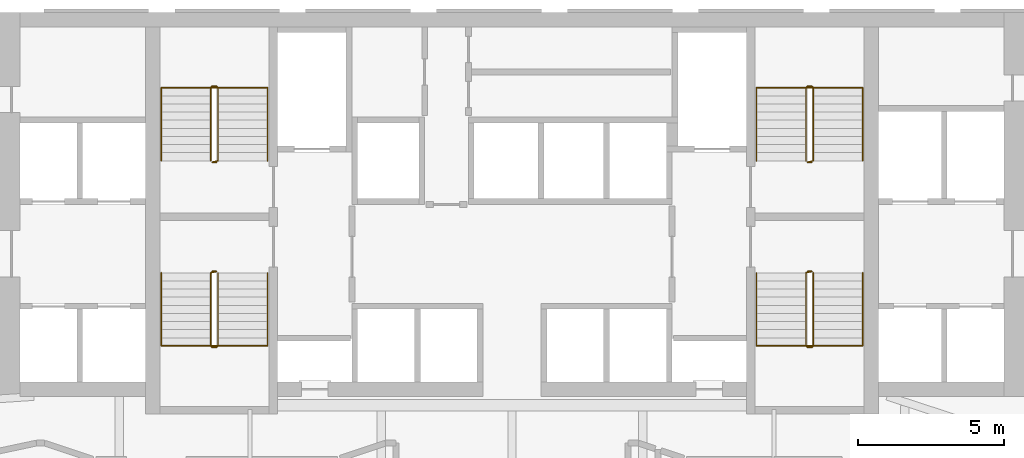
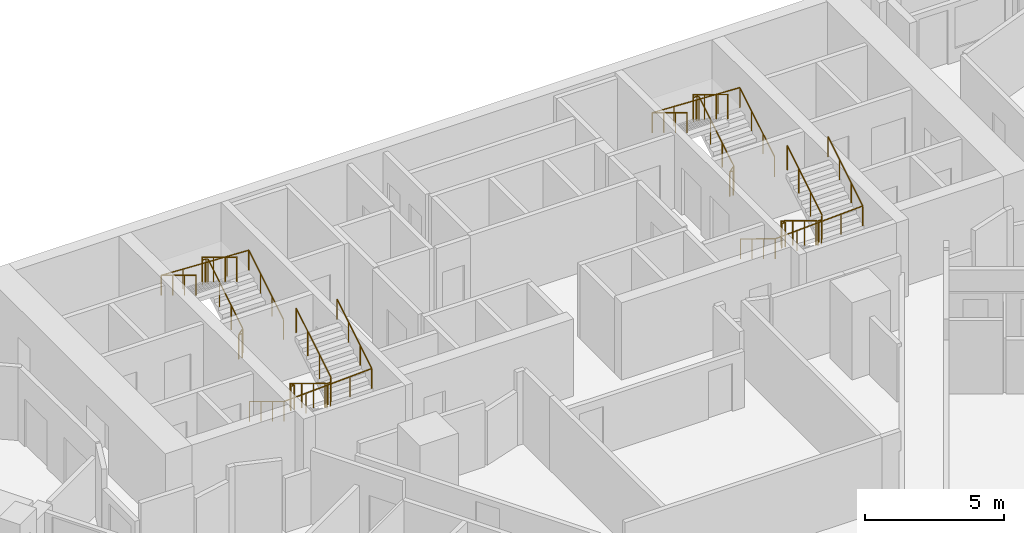
# One storey, part 10 of 10: 8 railings.
"""IFC4 building model written with IfcOpenShell, lengths in metres."""

from ifc_helpers import new_model, si_unit, direction, frame, origin, origin_2d, place, context, subcontext, project, spatial, circle, extrude, material, type_object, element, save


model = new_model("IFC4")

# Units and contexts
model_context = context("Model", 3, precision=1e-05, world=origin(), true_north=direction((0.0, 1.0)))
body_context = subcontext(model_context, "Body", "Model", "MODEL_VIEW")
ifc_project = project(units=[si_unit("LENGTHUNIT", "METRE"), si_unit("AREAUNIT", "SQUARE_METRE"), si_unit("VOLUMEUNIT", "CUBIC_METRE"), si_unit("PLANEANGLEUNIT", "RADIAN"), si_unit("MASSUNIT", "GRAM", prefix="KILO")], contexts=[model_context])

# Site, building, storey
site_placement = place(None, origin())
site = spatial("IfcSite", under=ifc_project, at=site_placement, CompositionType="ELEMENT")
building_placement = place(site_placement, origin())
building = spatial("IfcBuilding", under=site, at=building_placement, Name="Calabash Gate Tower", CompositionType="ELEMENT")
storey_placement = place(building_placement, frame((0.0, 0.0, 56.199951171875)))
storey = spatial("IfcBuildingStorey", under=building, at=storey_placement, Name="L09", CompositionType="ELEMENT", Elevation=56.199951171875)

# Railings
ifc_material_1 = material(Name="Black powder-coated steel balusters", Category="steel")
railing_type_1 = type_object("IfcRailingType", Name="Stair guard RL1100", PredefinedType="GUARDRAIL", material=ifc_material_1)
railing_1_placement = place(storey_placement, frame((-10.14990234375, 13.902587890625, 0.0)))
element("IfcRailing", 1, at=railing_1_placement, inside=storey, type_object=railing_type_1, Name="L09 ST1 stair guard 1", PredefinedType="GUARDRAIL", context=body_context, shape_type="SweptSolid", body=[
    extrude(circle(Radius=0.02392578125, at=origin_2d()), frame((0.0, 0.0, 1.076171875), z_axis=(-1.0, 0.0, 0.0), x_axis=(0.0, -1.0, 0.0)), (0.0, 0.0, 1.0), 0.150146484375),
    extrude(circle(Radius=0.02392578125, at=origin_2d()), frame((-0.150146484375, 0.0, 1.076171875), z_axis=(0.748079357382, 0.187248190798, 0.636643848712), x_axis=(-0.242814311512, 0.970072785993, 0.0)), (0.0, 0.0, 1.0), 0.267333984375),
    extrude(circle(Radius=0.02392578125, at=origin_2d()), frame((0.0498046875, 0.050048828125, 1.24609375), z_axis=(0.0, 0.853993254676, 0.52028407718), x_axis=(-1.0, 0.0, 0.0)), (0.0, 0.0, 1.0), 2.940185546875),
    extrude(circle(Radius=0.02392578125, at=origin_2d()), frame((0.0498046875, 2.56103515625, 2.77587890625), z_axis=(-0.705375805398, 0.708833529934, 0.0), x_axis=(-0.708833529934, -0.705375805398, 0.0)), (0.0, 0.0, 1.0), 0.070556640625),
    extrude(circle(Radius=0.02392578125, at=origin_2d()), frame((0.0, 2.611083984375, 2.77587890625), z_axis=(-1.0, 0.0, 0.0), x_axis=(0.0, -1.0, 0.0)), (0.0, 0.0, 1.0), 0.150146484375),
    extrude(circle(Radius=0.02392578125, at=origin_2d()), frame((-0.150146484375, 2.611083984375, 2.77587890625), z_axis=(-0.271562723297, -0.271562723297, 0.923313259209), x_axis=(0.707106781187, -0.707106781187, 0.0)), (0.0, 0.0, 1.0), 0.184326171875),
    extrude(circle(Radius=0.02392578125, at=origin_2d()), frame((-0.2001953125, 2.56103515625, 2.9462890625), z_axis=(0.0, -0.853956361026, 0.520344629514), x_axis=(1.0, 0.0, 0.0)), (0.0, 0.0, 1.0), 2.9404296875),
    extrude(circle(Radius=0.02099609375, at=origin_2d()), origin(), (0.0, 0.0, 1.0), 1.052001953125),
    extrude(circle(Radius=0.02099609375, at=origin_2d()), frame((-0.150146484375, 0.0, 0.0)), (0.0, 0.0, 1.0), 1.052001953125),
    extrude(circle(Radius=0.02099609375, at=origin_2d()), frame((0.0498046875, 0.050048828125, 0.170166015625)), (0.0, 0.0, 1.0), 1.052001953125),
    extrude(circle(Radius=0.02099609375, at=origin_2d()), frame((0.0498046875, 0.886962890625, 0.68017578125)), (0.0, 0.0, 1.0), 1.052001953125),
    extrude(circle(Radius=0.02099609375, at=origin_2d()), frame((0.0498046875, 1.72412109375, 1.18994140625)), (0.0, 0.0, 1.0), 1.052001953125),
    extrude(circle(Radius=0.02099609375, at=origin_2d()), frame((0.0498046875, 2.56103515625, 1.699951171875)), (0.0, 0.0, 1.0), 1.052001953125),
    extrude(circle(Radius=0.02099609375, at=origin_2d()), frame((0.0, 2.611083984375, 1.699951171875)), (0.0, 0.0, 1.0), 1.052001953125),
    extrude(circle(Radius=0.02099609375, at=origin_2d()), frame((-0.150146484375, 2.611083984375, 1.699951171875)), (0.0, 0.0, 1.0), 1.052001953125),
    extrude(circle(Radius=0.02099609375, at=origin_2d()), frame((-0.2001953125, 2.56103515625, 1.8701171875)), (0.0, 0.0, 1.0), 1.052001953125),
    extrude(circle(Radius=0.02099609375, at=origin_2d()), frame((-0.2001953125, 1.72412109375, 2.380126953125)), (0.0, 0.0, 1.0), 1.052001953125),
    extrude(circle(Radius=0.02099609375, at=origin_2d()), frame((-0.2001953125, 0.886962890625, 2.89013671875)), (0.0, 0.0, 1.0), 1.052001953125),
    extrude(circle(Radius=0.02099609375, at=origin_2d()), frame((-0.2001953125, 0.050048828125, 3.400146484375)), (0.0, 0.0, 1.0), 1.052001953125),
])
railing_2_placement = place(storey_placement, frame((-10.300048828125, 10.152587890625, 0.0)))
element("IfcRailing", 2, at=railing_2_placement, inside=storey, type_object=railing_type_1, Name="L09 ST2 stair guard 1", PredefinedType="GUARDRAIL", context=body_context, shape_type="SweptSolid", body=[
    extrude(circle(Radius=0.02392578125, at=origin_2d()), frame((0.0, 0.0, 1.076171875), z_axis=(1.0, 0.0, 0.0), x_axis=(0.0, 1.0, 0.0)), (0.0, 0.0, 1.0), 0.150146484375),
    extrude(circle(Radius=0.02392578125, at=origin_2d()), frame((0.150146484375, 0.0, 1.076171875), z_axis=(-0.748481188565, -0.187120297141, 0.63620901028), x_axis=(0.242535625036, -0.970142500145, 0.0)), (0.0, 0.0, 1.0), 0.267578125),
    extrude(circle(Radius=0.02392578125, at=origin_2d()), frame((-0.050048828125, -0.050048828125, 1.24609375), z_axis=(0.0, -0.853993254676, 0.52028407718), x_axis=(1.0, 0.0, 0.0)), (0.0, 0.0, 1.0), 2.940185546875),
    extrude(circle(Radius=0.02392578125, at=origin_2d()), frame((-0.050048828125, -2.56103515625, 2.77587890625), z_axis=(0.707106781187, -0.707106781187, 0.0), x_axis=(0.707106781187, 0.707106781187, 0.0)), (0.0, 0.0, 1.0), 0.07080078125),
    extrude(circle(Radius=0.02392578125, at=origin_2d()), frame((0.0, -2.611083984375, 2.77587890625), z_axis=(1.0, 0.0, 0.0), x_axis=(0.0, 1.0, 0.0)), (0.0, 0.0, 1.0), 0.150146484375),
    extrude(circle(Radius=0.02392578125, at=origin_2d()), frame((0.150146484375, -2.611083984375, 2.77587890625), z_axis=(0.270335057127, 0.271660228976, 0.923644778517), x_axis=(-0.708833529934, 0.705375805398, 0.0)), (0.0, 0.0, 1.0), 0.184326171875),
    extrude(circle(Radius=0.02392578125, at=origin_2d()), frame((0.199951171875, -2.56103515625, 2.9462890625), z_axis=(0.0, 0.853956361026, 0.520344629514), x_axis=(-1.0, 0.0, 0.0)), (0.0, 0.0, 1.0), 2.9404296875),
    extrude(circle(Radius=0.02099609375, at=origin_2d()), origin(), (0.0, 0.0, 1.0), 1.052001953125),
    extrude(circle(Radius=0.02099609375, at=origin_2d()), frame((0.150146484375, 0.0, 0.0)), (0.0, 0.0, 1.0), 1.052001953125),
    extrude(circle(Radius=0.02099609375, at=origin_2d()), frame((-0.050048828125, -0.050048828125, 0.170166015625)), (0.0, 0.0, 1.0), 1.052001953125),
    extrude(circle(Radius=0.02099609375, at=origin_2d()), frame((-0.050048828125, -0.886962890625, 0.68017578125)), (0.0, 0.0, 1.0), 1.052001953125),
    extrude(circle(Radius=0.02099609375, at=origin_2d()), frame((-0.050048828125, -1.72412109375, 1.18994140625)), (0.0, 0.0, 1.0), 1.052001953125),
    extrude(circle(Radius=0.02099609375, at=origin_2d()), frame((-0.050048828125, -2.56103515625, 1.699951171875)), (0.0, 0.0, 1.0), 1.052001953125),
    extrude(circle(Radius=0.02099609375, at=origin_2d()), frame((0.0, -2.611083984375, 1.699951171875)), (0.0, 0.0, 1.0), 1.052001953125),
    extrude(circle(Radius=0.02099609375, at=origin_2d()), frame((0.150146484375, -2.611083984375, 1.699951171875)), (0.0, 0.0, 1.0), 1.052001953125),
    extrude(circle(Radius=0.02099609375, at=origin_2d()), frame((0.199951171875, -2.56103515625, 1.8701171875)), (0.0, 0.0, 1.0), 1.052001953125),
    extrude(circle(Radius=0.02099609375, at=origin_2d()), frame((0.199951171875, -1.72412109375, 2.380126953125)), (0.0, 0.0, 1.0), 1.052001953125),
    extrude(circle(Radius=0.02099609375, at=origin_2d()), frame((0.199951171875, -0.886962890625, 2.89013671875)), (0.0, 0.0, 1.0), 1.052001953125),
    extrude(circle(Radius=0.02099609375, at=origin_2d()), frame((0.199951171875, -0.050048828125, 3.400146484375)), (0.0, 0.0, 1.0), 1.052001953125),
])
railing_3_placement = place(storey_placement, frame((10.300048828125, 13.902587890625, 0.0)))
element("IfcRailing", 3, at=railing_3_placement, inside=storey, type_object=railing_type_1, Name="L09 ST3 stair guard 1", PredefinedType="GUARDRAIL", context=body_context, shape_type="SweptSolid", body=[
    extrude(circle(Radius=0.02392578125, at=origin_2d()), frame((0.0, 0.0, 1.076171875), z_axis=(-1.0, 0.0, 0.0), x_axis=(0.0, -1.0, 0.0)), (0.0, 0.0, 1.0), 0.150146484375),
    extrude(circle(Radius=0.02392578125, at=origin_2d()), frame((-0.150146484375, 0.0, 1.076171875), z_axis=(0.748481188565, 0.187120297141, 0.63620901028), x_axis=(-0.242535625036, 0.970142500145, 0.0)), (0.0, 0.0, 1.0), 0.267578125),
    extrude(circle(Radius=0.02392578125, at=origin_2d()), frame((0.050048828125, 0.050048828125, 1.24609375), z_axis=(0.0, 0.853993254676, 0.52028407718), x_axis=(-1.0, 0.0, 0.0)), (0.0, 0.0, 1.0), 2.940185546875),
    extrude(circle(Radius=0.02392578125, at=origin_2d()), frame((0.050048828125, 2.56103515625, 2.77587890625), z_axis=(-0.707106781187, 0.707106781187, 0.0), x_axis=(-0.707106781187, -0.707106781187, 0.0)), (0.0, 0.0, 1.0), 0.07080078125),
    extrude(circle(Radius=0.02392578125, at=origin_2d()), frame((0.0, 2.611083984375, 2.77587890625), z_axis=(-1.0, 0.0, 0.0), x_axis=(0.0, -1.0, 0.0)), (0.0, 0.0, 1.0), 0.150146484375),
    extrude(circle(Radius=0.02392578125, at=origin_2d()), frame((-0.150146484375, 2.611083984375, 2.77587890625), z_axis=(-0.270335057127, -0.271660228976, 0.923644778517), x_axis=(0.708833529934, -0.705375805398, 0.0)), (0.0, 0.0, 1.0), 0.184326171875),
    extrude(circle(Radius=0.02392578125, at=origin_2d()), frame((-0.199951171875, 2.56103515625, 2.9462890625), z_axis=(0.0, -0.853956361026, 0.520344629514), x_axis=(1.0, 0.0, 0.0)), (0.0, 0.0, 1.0), 2.9404296875),
    extrude(circle(Radius=0.02099609375, at=origin_2d()), origin(), (0.0, 0.0, 1.0), 1.052001953125),
    extrude(circle(Radius=0.02099609375, at=origin_2d()), frame((-0.150146484375, 0.0, 0.0)), (0.0, 0.0, 1.0), 1.052001953125),
    extrude(circle(Radius=0.02099609375, at=origin_2d()), frame((0.050048828125, 0.050048828125, 0.170166015625)), (0.0, 0.0, 1.0), 1.052001953125),
    extrude(circle(Radius=0.02099609375, at=origin_2d()), frame((0.050048828125, 0.886962890625, 0.68017578125)), (0.0, 0.0, 1.0), 1.052001953125),
    extrude(circle(Radius=0.02099609375, at=origin_2d()), frame((0.050048828125, 1.72412109375, 1.18994140625)), (0.0, 0.0, 1.0), 1.052001953125),
    extrude(circle(Radius=0.02099609375, at=origin_2d()), frame((0.050048828125, 2.56103515625, 1.699951171875)), (0.0, 0.0, 1.0), 1.052001953125),
    extrude(circle(Radius=0.02099609375, at=origin_2d()), frame((0.0, 2.611083984375, 1.699951171875)), (0.0, 0.0, 1.0), 1.052001953125),
    extrude(circle(Radius=0.02099609375, at=origin_2d()), frame((-0.150146484375, 2.611083984375, 1.699951171875)), (0.0, 0.0, 1.0), 1.052001953125),
    extrude(circle(Radius=0.02099609375, at=origin_2d()), frame((-0.199951171875, 2.56103515625, 1.8701171875)), (0.0, 0.0, 1.0), 1.052001953125),
    extrude(circle(Radius=0.02099609375, at=origin_2d()), frame((-0.199951171875, 1.72412109375, 2.380126953125)), (0.0, 0.0, 1.0), 1.052001953125),
    extrude(circle(Radius=0.02099609375, at=origin_2d()), frame((-0.199951171875, 0.886962890625, 2.89013671875)), (0.0, 0.0, 1.0), 1.052001953125),
    extrude(circle(Radius=0.02099609375, at=origin_2d()), frame((-0.199951171875, 0.050048828125, 3.400146484375)), (0.0, 0.0, 1.0), 1.052001953125),
])
railing_4_placement = place(storey_placement, frame((10.14990234375, 10.152587890625, 0.0)))
element("IfcRailing", 4, at=railing_4_placement, inside=storey, type_object=railing_type_1, Name="L09 ST4 stair guard 1", PredefinedType="GUARDRAIL", context=body_context, shape_type="SweptSolid", body=[
    extrude(circle(Radius=0.02392578125, at=origin_2d()), frame((0.0, 0.0, 1.076171875), z_axis=(1.0, 0.0, 0.0), x_axis=(0.0, 1.0, 0.0)), (0.0, 0.0, 1.0), 0.150146484375),
    extrude(circle(Radius=0.02392578125, at=origin_2d()), frame((0.150146484375, 0.0, 1.076171875), z_axis=(-0.748079357382, -0.187248190798, 0.636643848712), x_axis=(0.242814311512, -0.970072785993, 0.0)), (0.0, 0.0, 1.0), 0.267333984375),
    extrude(circle(Radius=0.02392578125, at=origin_2d()), frame((-0.0498046875, -0.050048828125, 1.24609375), z_axis=(0.0, -0.853993254676, 0.52028407718), x_axis=(1.0, 0.0, 0.0)), (0.0, 0.0, 1.0), 2.940185546875),
    extrude(circle(Radius=0.02392578125, at=origin_2d()), frame((-0.0498046875, -2.56103515625, 2.77587890625), z_axis=(0.705375805398, -0.708833529934, 0.0), x_axis=(0.708833529934, 0.705375805398, 0.0)), (0.0, 0.0, 1.0), 0.070556640625),
    extrude(circle(Radius=0.02392578125, at=origin_2d()), frame((0.0, -2.611083984375, 2.77587890625), z_axis=(1.0, 0.0, 0.0), x_axis=(0.0, 1.0, 0.0)), (0.0, 0.0, 1.0), 0.150146484375),
    extrude(circle(Radius=0.02392578125, at=origin_2d()), frame((0.150146484375, -2.611083984375, 2.77587890625), z_axis=(0.271562723297, 0.271562723297, 0.923313259209), x_axis=(-0.707106781187, 0.707106781187, 0.0)), (0.0, 0.0, 1.0), 0.184326171875),
    extrude(circle(Radius=0.02392578125, at=origin_2d()), frame((0.2001953125, -2.56103515625, 2.9462890625), z_axis=(0.0, 0.853956361026, 0.520344629514), x_axis=(-1.0, 0.0, 0.0)), (0.0, 0.0, 1.0), 2.9404296875),
    extrude(circle(Radius=0.02099609375, at=origin_2d()), origin(), (0.0, 0.0, 1.0), 1.052001953125),
    extrude(circle(Radius=0.02099609375, at=origin_2d()), frame((0.150146484375, 0.0, 0.0)), (0.0, 0.0, 1.0), 1.052001953125),
    extrude(circle(Radius=0.02099609375, at=origin_2d()), frame((-0.0498046875, -0.050048828125, 0.170166015625)), (0.0, 0.0, 1.0), 1.052001953125),
    extrude(circle(Radius=0.02099609375, at=origin_2d()), frame((-0.0498046875, -0.886962890625, 0.68017578125)), (0.0, 0.0, 1.0), 1.052001953125),
    extrude(circle(Radius=0.02099609375, at=origin_2d()), frame((-0.0498046875, -1.72412109375, 1.18994140625)), (0.0, 0.0, 1.0), 1.052001953125),
    extrude(circle(Radius=0.02099609375, at=origin_2d()), frame((-0.0498046875, -2.56103515625, 1.699951171875)), (0.0, 0.0, 1.0), 1.052001953125),
    extrude(circle(Radius=0.02099609375, at=origin_2d()), frame((0.0, -2.611083984375, 1.699951171875)), (0.0, 0.0, 1.0), 1.052001953125),
    extrude(circle(Radius=0.02099609375, at=origin_2d()), frame((0.150146484375, -2.611083984375, 1.699951171875)), (0.0, 0.0, 1.0), 1.052001953125),
    extrude(circle(Radius=0.02099609375, at=origin_2d()), frame((0.2001953125, -2.56103515625, 1.8701171875)), (0.0, 0.0, 1.0), 1.052001953125),
    extrude(circle(Radius=0.02099609375, at=origin_2d()), frame((0.2001953125, -1.72412109375, 2.380126953125)), (0.0, 0.0, 1.0), 1.052001953125),
    extrude(circle(Radius=0.02099609375, at=origin_2d()), frame((0.2001953125, -0.886962890625, 2.89013671875)), (0.0, 0.0, 1.0), 1.052001953125),
    extrude(circle(Radius=0.02099609375, at=origin_2d()), frame((0.2001953125, -0.050048828125, 3.400146484375)), (0.0, 0.0, 1.0), 1.052001953125),
])
ifc_material_2 = material(Name="Black powder-coated steel tube 48 mm", Category="steel")
railing_type_2 = type_object("IfcRailingType", Name="Stair handrail RL900", PredefinedType="HANDRAIL", material=ifc_material_2)
railing_5_placement = place(storey_placement, frame((-8.39990234375, 13.95263671875, 0.170166015625)))
element("IfcRailing", 5, at=railing_5_placement, inside=storey, type_object=railing_type_2, Name="L09 ST1 stair handrail 1", PredefinedType="HANDRAIL", context=body_context, shape_type="SweptSolid", body=[
    extrude(circle(Radius=0.02392578125, at=origin_2d()), frame((0.0, 0.0, 0.8759765625), z_axis=(0.0, 0.853993254676, 0.52028407718), x_axis=(-1.0, 0.0, 0.0)), (0.0, 0.0, 1.0), 2.940185546875),
    extrude(circle(Radius=0.02392578125, at=origin_2d()), frame((0.0, 2.510986328125, 2.40576171875), z_axis=(-0.99891510456, 0.0, 0.046568378562), x_axis=(0.0, -1.0, 0.0)), (0.0, 0.0, 1.0), 3.654052734375),
    extrude(circle(Radius=0.02392578125, at=origin_2d()), frame((-3.650146484375, 2.510986328125, 2.57568359375), z_axis=(0.0, -0.853956361026, 0.520344629514), x_axis=(1.0, 0.0, 0.0)), (0.0, 0.0, 1.0), 2.9404296875),
    extrude(circle(Radius=0.02099609375, at=origin_2d()), origin(), (0.0, 0.0, 1.0), 0.851806640625),
    extrude(circle(Radius=0.02099609375, at=origin_2d()), frame((0.0, 0.8369140625, 0.510009765625)), (0.0, 0.0, 1.0), 0.851806640625),
    extrude(circle(Radius=0.02099609375, at=origin_2d()), frame((0.0, 1.674072265625, 1.019775390625)), (0.0, 0.0, 1.0), 0.851806640625),
    extrude(circle(Radius=0.02099609375, at=origin_2d()), frame((0.0, 2.510986328125, 1.52978515625)), (0.0, 0.0, 1.0), 0.851806640625),
    extrude(circle(Radius=0.02099609375, at=origin_2d()), frame((-0.91259765625, 2.510986328125, 1.572265625)), (0.0, 0.0, 1.0), 0.851806640625),
    extrude(circle(Radius=0.02099609375, at=origin_2d()), frame((-1.8251953125, 2.510986328125, 1.61474609375)), (0.0, 0.0, 1.0), 0.851806640625),
    extrude(circle(Radius=0.02099609375, at=origin_2d()), frame((-2.737548828125, 2.510986328125, 1.657470703125)), (0.0, 0.0, 1.0), 0.851806640625),
    extrude(circle(Radius=0.02099609375, at=origin_2d()), frame((-3.650146484375, 2.510986328125, 1.699951171875)), (0.0, 0.0, 1.0), 0.851806640625),
    extrude(circle(Radius=0.02099609375, at=origin_2d()), frame((-3.650146484375, 1.674072265625, 2.2099609375)), (0.0, 0.0, 1.0), 0.851806640625),
    extrude(circle(Radius=0.02099609375, at=origin_2d()), frame((-3.650146484375, 0.8369140625, 2.719970703125)), (0.0, 0.0, 1.0), 0.851806640625),
    extrude(circle(Radius=0.02099609375, at=origin_2d()), frame((-3.650146484375, 0.0, 3.22998046875)), (0.0, 0.0, 1.0), 0.851806640625),
])
railing_6_placement = place(storey_placement, frame((-12.050048828125, 10.1025390625, 0.170166015625)))
element("IfcRailing", 6, at=railing_6_placement, inside=storey, type_object=railing_type_2, Name="L09 ST2 stair handrail 1", PredefinedType="HANDRAIL", context=body_context, shape_type="SweptSolid", body=[
    extrude(circle(Radius=0.02392578125, at=origin_2d()), frame((0.0, 0.0, 0.8759765625), z_axis=(0.0, -0.853993254676, 0.52028407718), x_axis=(1.0, 0.0, 0.0)), (0.0, 0.0, 1.0), 2.940185546875),
    extrude(circle(Radius=0.02392578125, at=origin_2d()), frame((0.0, -2.510986328125, 2.40576171875), z_axis=(0.99891510456, 0.0, 0.046568378562), x_axis=(0.0, 1.0, 0.0)), (0.0, 0.0, 1.0), 3.654052734375),
    extrude(circle(Radius=0.02392578125, at=origin_2d()), frame((3.650146484375, -2.510986328125, 2.57568359375), z_axis=(0.0, 0.853956361026, 0.520344629514), x_axis=(-1.0, 0.0, 0.0)), (0.0, 0.0, 1.0), 2.9404296875),
    extrude(circle(Radius=0.02099609375, at=origin_2d()), origin(), (0.0, 0.0, 1.0), 0.851806640625),
    extrude(circle(Radius=0.02099609375, at=origin_2d()), frame((0.0, -0.8369140625, 0.510009765625)), (0.0, 0.0, 1.0), 0.851806640625),
    extrude(circle(Radius=0.02099609375, at=origin_2d()), frame((0.0, -1.674072265625, 1.019775390625)), (0.0, 0.0, 1.0), 0.851806640625),
    extrude(circle(Radius=0.02099609375, at=origin_2d()), frame((0.0, -2.510986328125, 1.52978515625)), (0.0, 0.0, 1.0), 0.851806640625),
    extrude(circle(Radius=0.02099609375, at=origin_2d()), frame((0.91259765625, -2.510986328125, 1.572265625)), (0.0, 0.0, 1.0), 0.851806640625),
    extrude(circle(Radius=0.02099609375, at=origin_2d()), frame((1.8251953125, -2.510986328125, 1.61474609375)), (0.0, 0.0, 1.0), 0.851806640625),
    extrude(circle(Radius=0.02099609375, at=origin_2d()), frame((2.737548828125, -2.510986328125, 1.657470703125)), (0.0, 0.0, 1.0), 0.851806640625),
    extrude(circle(Radius=0.02099609375, at=origin_2d()), frame((3.650146484375, -2.510986328125, 1.699951171875)), (0.0, 0.0, 1.0), 0.851806640625),
    extrude(circle(Radius=0.02099609375, at=origin_2d()), frame((3.650146484375, -1.674072265625, 2.2099609375)), (0.0, 0.0, 1.0), 0.851806640625),
    extrude(circle(Radius=0.02099609375, at=origin_2d()), frame((3.650146484375, -0.8369140625, 2.719970703125)), (0.0, 0.0, 1.0), 0.851806640625),
    extrude(circle(Radius=0.02099609375, at=origin_2d()), frame((3.650146484375, 0.0, 3.22998046875)), (0.0, 0.0, 1.0), 0.851806640625),
])
railing_7_placement = place(storey_placement, frame((12.050048828125, 13.95263671875, 0.170166015625)))
element("IfcRailing", 7, at=railing_7_placement, inside=storey, type_object=railing_type_2, Name="L09 ST3 stair handrail 1", PredefinedType="HANDRAIL", context=body_context, shape_type="SweptSolid", body=[
    extrude(circle(Radius=0.02392578125, at=origin_2d()), frame((0.0, 0.0, 0.8759765625), z_axis=(0.0, 0.853993254676, 0.52028407718), x_axis=(-1.0, 0.0, 0.0)), (0.0, 0.0, 1.0), 2.940185546875),
    extrude(circle(Radius=0.02392578125, at=origin_2d()), frame((0.0, 2.510986328125, 2.40576171875), z_axis=(-0.99891510456, 0.0, 0.046568378562), x_axis=(0.0, -1.0, 0.0)), (0.0, 0.0, 1.0), 3.654052734375),
    extrude(circle(Radius=0.02392578125, at=origin_2d()), frame((-3.650146484375, 2.510986328125, 2.57568359375), z_axis=(0.0, -0.853956361026, 0.520344629514), x_axis=(1.0, 0.0, 0.0)), (0.0, 0.0, 1.0), 2.9404296875),
    extrude(circle(Radius=0.02099609375, at=origin_2d()), origin(), (0.0, 0.0, 1.0), 0.851806640625),
    extrude(circle(Radius=0.02099609375, at=origin_2d()), frame((0.0, 0.8369140625, 0.510009765625)), (0.0, 0.0, 1.0), 0.851806640625),
    extrude(circle(Radius=0.02099609375, at=origin_2d()), frame((0.0, 1.674072265625, 1.019775390625)), (0.0, 0.0, 1.0), 0.851806640625),
    extrude(circle(Radius=0.02099609375, at=origin_2d()), frame((0.0, 2.510986328125, 1.52978515625)), (0.0, 0.0, 1.0), 0.851806640625),
    extrude(circle(Radius=0.02099609375, at=origin_2d()), frame((-0.91259765625, 2.510986328125, 1.572265625)), (0.0, 0.0, 1.0), 0.851806640625),
    extrude(circle(Radius=0.02099609375, at=origin_2d()), frame((-1.8251953125, 2.510986328125, 1.61474609375)), (0.0, 0.0, 1.0), 0.851806640625),
    extrude(circle(Radius=0.02099609375, at=origin_2d()), frame((-2.737548828125, 2.510986328125, 1.657470703125)), (0.0, 0.0, 1.0), 0.851806640625),
    extrude(circle(Radius=0.02099609375, at=origin_2d()), frame((-3.650146484375, 2.510986328125, 1.699951171875)), (0.0, 0.0, 1.0), 0.851806640625),
    extrude(circle(Radius=0.02099609375, at=origin_2d()), frame((-3.650146484375, 1.674072265625, 2.2099609375)), (0.0, 0.0, 1.0), 0.851806640625),
    extrude(circle(Radius=0.02099609375, at=origin_2d()), frame((-3.650146484375, 0.8369140625, 2.719970703125)), (0.0, 0.0, 1.0), 0.851806640625),
    extrude(circle(Radius=0.02099609375, at=origin_2d()), frame((-3.650146484375, 0.0, 3.22998046875)), (0.0, 0.0, 1.0), 0.851806640625),
])
railing_8_placement = place(storey_placement, frame((8.39990234375, 10.1025390625, 0.170166015625)))
element("IfcRailing", 8, at=railing_8_placement, inside=storey, type_object=railing_type_2, Name="L09 ST4 stair handrail 1", PredefinedType="HANDRAIL", context=body_context, shape_type="SweptSolid", body=[
    extrude(circle(Radius=0.02392578125, at=origin_2d()), frame((0.0, 0.0, 0.8759765625), z_axis=(0.0, -0.853993254676, 0.52028407718), x_axis=(1.0, 0.0, 0.0)), (0.0, 0.0, 1.0), 2.940185546875),
    extrude(circle(Radius=0.02392578125, at=origin_2d()), frame((0.0, -2.510986328125, 2.40576171875), z_axis=(0.99891510456, 0.0, 0.046568378562), x_axis=(0.0, 1.0, 0.0)), (0.0, 0.0, 1.0), 3.654052734375),
    extrude(circle(Radius=0.02392578125, at=origin_2d()), frame((3.650146484375, -2.510986328125, 2.57568359375), z_axis=(0.0, 0.853956361026, 0.520344629514), x_axis=(-1.0, 0.0, 0.0)), (0.0, 0.0, 1.0), 2.9404296875),
    extrude(circle(Radius=0.02099609375, at=origin_2d()), origin(), (0.0, 0.0, 1.0), 0.851806640625),
    extrude(circle(Radius=0.02099609375, at=origin_2d()), frame((0.0, -0.8369140625, 0.510009765625)), (0.0, 0.0, 1.0), 0.851806640625),
    extrude(circle(Radius=0.02099609375, at=origin_2d()), frame((0.0, -1.674072265625, 1.019775390625)), (0.0, 0.0, 1.0), 0.851806640625),
    extrude(circle(Radius=0.02099609375, at=origin_2d()), frame((0.0, -2.510986328125, 1.52978515625)), (0.0, 0.0, 1.0), 0.851806640625),
    extrude(circle(Radius=0.02099609375, at=origin_2d()), frame((0.91259765625, -2.510986328125, 1.572265625)), (0.0, 0.0, 1.0), 0.851806640625),
    extrude(circle(Radius=0.02099609375, at=origin_2d()), frame((1.8251953125, -2.510986328125, 1.61474609375)), (0.0, 0.0, 1.0), 0.851806640625),
    extrude(circle(Radius=0.02099609375, at=origin_2d()), frame((2.737548828125, -2.510986328125, 1.657470703125)), (0.0, 0.0, 1.0), 0.851806640625),
    extrude(circle(Radius=0.02099609375, at=origin_2d()), frame((3.650146484375, -2.510986328125, 1.699951171875)), (0.0, 0.0, 1.0), 0.851806640625),
    extrude(circle(Radius=0.02099609375, at=origin_2d()), frame((3.650146484375, -1.674072265625, 2.2099609375)), (0.0, 0.0, 1.0), 0.851806640625),
    extrude(circle(Radius=0.02099609375, at=origin_2d()), frame((3.650146484375, -0.8369140625, 2.719970703125)), (0.0, 0.0, 1.0), 0.851806640625),
    extrude(circle(Radius=0.02099609375, at=origin_2d()), frame((3.650146484375, 0.0, 3.22998046875)), (0.0, 0.0, 1.0), 0.851806640625),
])

save(model, "model.ifc")
